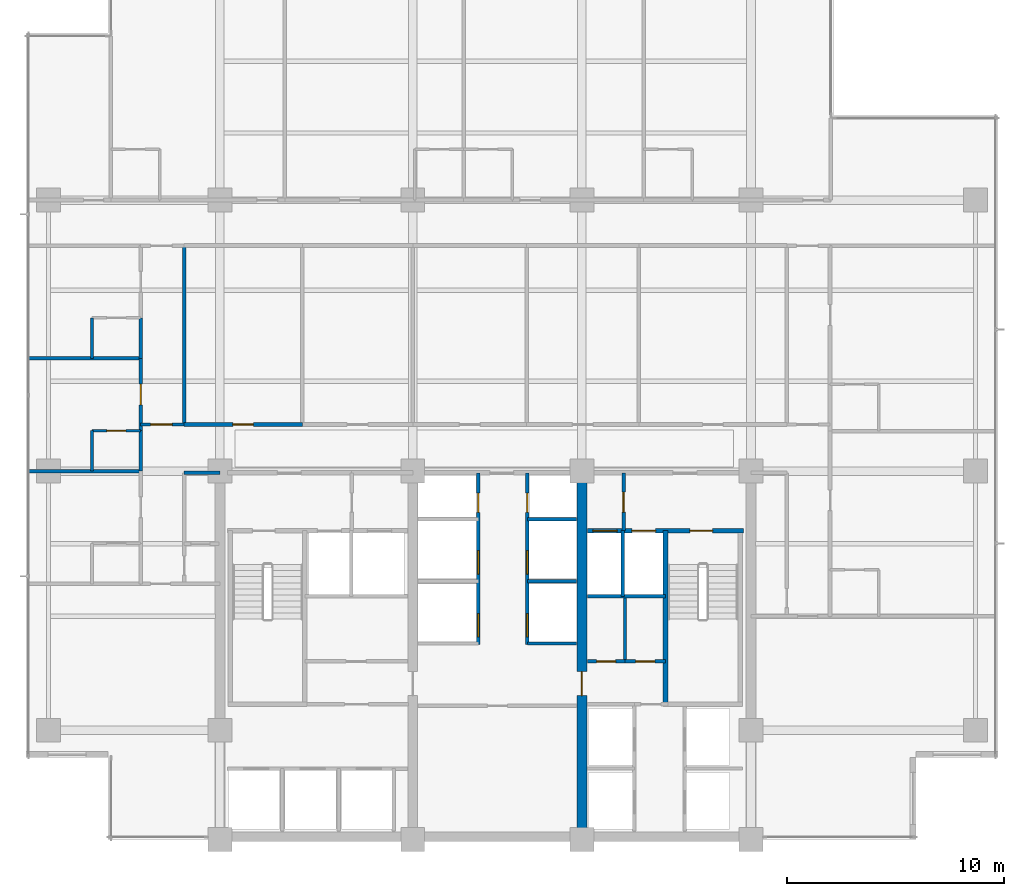
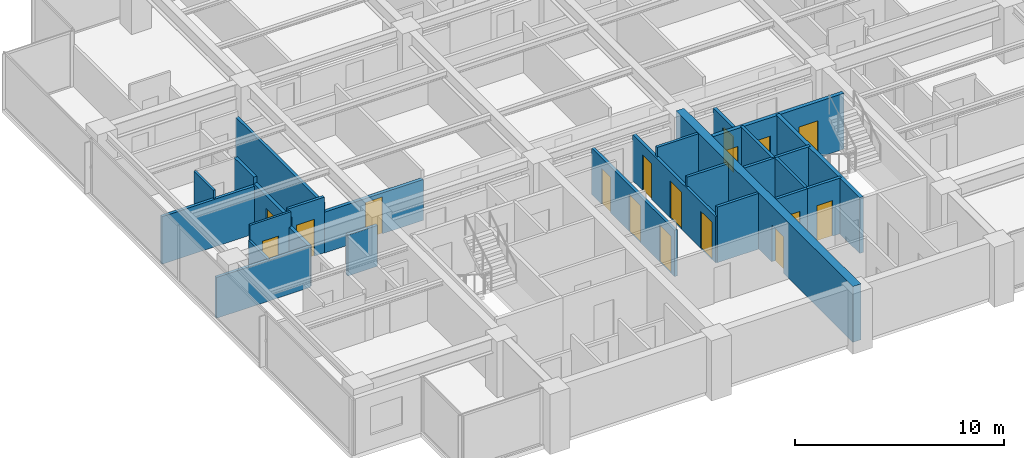
# One storey, part 8 of 15: 26 walls, 17 doors, 17 openings.
"""IFC4 building model written with IfcOpenShell, lengths in metres."""

import ifcopenshell
import ifcopenshell.guid

model = None  # the IFC model being written
_history = None  # IfcOwnerHistory: only IFC2X3 demands one
_inside = {}  # id of a spatial element -> (the spatial element, [elements in it])
_under = {}  # id of a project, library or spatial element -> (it, [spatial elements below it])
_declared = {}  # id of a project -> (the project, [libraries it declares])
_typed = {}  # id of a type object -> (the type object, [elements of that type])
_made_of = {}  # id of a material, layer set ... -> (it, [elements and type objects made of it])


def new_model(schema):
    """Start an empty IFC model of exactly this schema.

    Asked for "IFC4X3", IfcOpenShell would pick the latest addendum, in which some entities
    have other attributes; the version numbers below select the first issue.
    IFC2X3 requires an IfcOwnerHistory on every rooted entity: one is made here for all.
    """
    global model, _history
    if schema == "IFC4X3":
        model = ifcopenshell.file(schema_version=(4, 3, 0, 0))
    else:
        model = ifcopenshell.file(schema=schema)
    _inside.clear()
    _under.clear()
    _declared.clear()
    _typed.clear()
    _made_of.clear()
    _history = None
    if model.schema == "IFC2X3":
        org = make("IfcOrganization", Name="unknown")
        user = make(
            "IfcPersonAndOrganization",
            ThePerson=make("IfcPerson", FamilyName="unknown"),
            TheOrganization=org,
        )
        app = make(
            "IfcApplication",
            ApplicationDeveloper=org,
            Version="unknown",
            ApplicationFullName="unknown",
            ApplicationIdentifier="unknown",
        )
        _history = make(
            "IfcOwnerHistory",
            OwningUser=user,
            OwningApplication=app,
            ChangeAction="ADDED",
            CreationDate=0,
        )
    return model


def make(cls, **values):
    """One entity of the class cls with the attributes given. An attribute that is None is left unset."""
    return model.create_entity(
        cls, **{name: value for name, value in values.items() if value is not None}
    )


def rooted(cls, **values):
    """An entity with a GlobalId (a new one), such as an element, a storey or a relation."""
    return make(cls, GlobalId=ifcopenshell.guid.new(), OwnerHistory=_history, **values)


def si_unit(unit_type, name, prefix=None):
    """IfcSIUnit, for example si_unit("LENGTHUNIT", "METRE", prefix="MILLI")."""
    return make("IfcSIUnit", UnitType=unit_type, Prefix=prefix, Name=name)


def assignment(units):
    """IfcUnitAssignment: the units of a project."""
    return None if units is None else make("IfcUnitAssignment", Units=units)


def point(xyz):
    """IfcCartesianPoint."""
    return None if xyz is None else make("IfcCartesianPoint", Coordinates=xyz)


def direction(xyz):
    """IfcDirection."""
    return None if xyz is None else make("IfcDirection", DirectionRatios=xyz)


def frame(location, z_axis=None, x_axis=None):
    """IfcAxis2Placement3D, a coordinate frame: its origin and axes. An axis left out is left unset."""
    return make(
        "IfcAxis2Placement3D",
        Location=point(location),
        Axis=direction(z_axis),
        RefDirection=direction(x_axis),
    )


def frame_2d(location, x_axis=None):
    """IfcAxis2Placement2D, a coordinate frame in the plane: its origin and x axis."""
    return make(
        "IfcAxis2Placement2D", Location=point(location), RefDirection=direction(x_axis)
    )


def origin():
    """The frame at (0, 0, 0) with its axes left unset."""
    return frame((0.0, 0.0, 0.0))


def place(relative_to, where):
    """IfcLocalPlacement: puts the frame where relative to a parent placement (None: the world)."""
    return make(
        "IfcLocalPlacement", PlacementRelTo=relative_to, RelativePlacement=where
    )


def context(
    kind, dimensions, precision=None, world=None, true_north=None, identifier=None
):
    """IfcGeometricRepresentationContext, for example the 3D "Model" context."""
    return make(
        "IfcGeometricRepresentationContext",
        ContextIdentifier=identifier,
        ContextType=kind,
        CoordinateSpaceDimension=dimensions,
        Precision=precision,
        WorldCoordinateSystem=world,
        TrueNorth=true_north,
    )


def subcontext(parent, identifier, kind, view, scale=None):
    """IfcGeometricRepresentationSubContext, for example "Body" below "Model"."""
    return make(
        "IfcGeometricRepresentationSubContext",
        ContextIdentifier=identifier,
        ContextType=kind,
        ParentContext=parent,
        TargetScale=scale,
        TargetView=view,
    )


def project(units=None, contexts=None):
    """IfcProject with its units and contexts."""
    return rooted(
        "IfcProject",
        Name="project",
        RepresentationContexts=contexts,
        UnitsInContext=assignment(units),
    )


def spatial(cls, under=None, at=None, **own):
    """A site, building, storey or space (cls), placed at a placement, below another one or the project."""
    s = rooted(cls, ObjectPlacement=at, **own)
    if under is not None:
        _under.setdefault(under.id(), (under, []))[1].append(s)
    return s


def profile(cls, at=None, kind="AREA", **sizes):
    """A parametric profile (cls). Its sizes go by their IFC names, for example OverallWidth=200.0."""
    return make(cls, ProfileType=kind, Position=at, **sizes)


def rectangle(**sizes):
    """IfcRectangleProfileDef."""
    return profile("IfcRectangleProfileDef", **sizes)


def extrude(swept, where, along, depth):
    """IfcExtrudedAreaSolid: the profile swept, set in the frame where, extruded along a direction by depth."""
    return make(
        "IfcExtrudedAreaSolid",
        SweptArea=swept,
        Position=where,
        ExtrudedDirection=direction(along),
        Depth=depth,
    )


def shape(context_of_items, identifier, shape_type, items):
    """IfcShapeRepresentation: the items that make up one representation, for example the "Body"."""
    return make(
        "IfcShapeRepresentation",
        ContextOfItems=context_of_items,
        RepresentationIdentifier=identifier,
        RepresentationType=shape_type,
        Items=items,
    )


def material(Name=None, Category=None):
    """IfcMaterial."""
    return make("IfcMaterial", Name=Name, Category=Category)


def layer(
    of_material, thickness, ventilated=None, Name=None, Category=None, Priority=None
):
    """IfcMaterialLayer: one layer of a wall or slab, of a material (None: an air gap)."""
    return make(
        "IfcMaterialLayer",
        Material=of_material,
        LayerThickness=thickness,
        IsVentilated=ventilated,
        Name=Name,
        Category=Category,
        Priority=Priority,
    )


def layer_set(layers, Name=None):
    """IfcMaterialLayerSet."""
    return make("IfcMaterialLayerSet", MaterialLayers=layers, LayerSetName=Name)


def made_of(thing, what):
    """Note that an element or type object is made of a material, layer set ...; save() writes the relation."""
    if what is not None:
        _made_of.setdefault(what.id(), (what, []))[1].append(thing)
    return thing


def type_object(cls, material=None, **own):
    """A type object (cls), such as IfcWallType, which elements share."""
    return made_of(rooted(cls, **own), material)


def element(
    cls,
    number,
    at=None,
    inside=None,
    cuts=None,
    type_object=None,
    material=None,
    context=None,
    identifier="Body",
    shape_type=None,
    held_by="IfcProductDefinitionShape",
    body=None,
    shapes=None,
    **own,
):
    """One element of the class cls, such as IfcWall. Its Tag is "e" and its number.

    at: its placement. inside: the storey or other place that contains it. cuts: it is an
    opening in that element (IfcRelVoidsElement). A single representation is given by context,
    identifier, shape_type and body (its items); several are given by shapes. held_by: the class
    of the entity that holds the representations. save() writes the other relations.
    """
    e = rooted(cls, Tag="e%d" % number, ObjectPlacement=at, **own)
    if body is not None:
        shapes = [shape(context, identifier, shape_type, body)]
    if shapes is not None:
        e.Representation = make(held_by, Representations=shapes)
    if inside is not None:
        _inside.setdefault(inside.id(), (inside, []))[1].append(e)
    if cuts is not None:
        rooted(
            "IfcRelVoidsElement", RelatingBuildingElement=cuts, RelatedOpeningElement=e
        )
    if type_object is not None:
        _typed.setdefault(type_object.id(), (type_object, []))[1].append(e)
    return made_of(e, material)


def fill(opening, filler):
    """IfcRelFillsElement: the door or window that sits in an opening."""
    return rooted(
        "IfcRelFillsElement",
        RelatingOpeningElement=opening,
        RelatedBuildingElement=filler,
    )


def aggregate(whole, parts):
    """IfcRelAggregates: a whole, such as a stair, and the parts it consists of."""
    return rooted("IfcRelAggregates", RelatingObject=whole, RelatedObjects=parts)


def save(model, path):
    """Write the relations noted so far, then the file.

    IfcRelAggregates (storeys below a building ...), IfcRelContainedInSpatialStructure (elements
    in a storey), IfcRelDefinesByType, IfcRelAssociatesMaterial and IfcRelDeclares: one each for
    every whole, place, type object, material and project.
    """
    for whole, parts in _under.values():
        aggregate(whole, parts)
    for where, things in _inside.values():
        rooted(
            "IfcRelContainedInSpatialStructure",
            RelatedElements=things,
            RelatingStructure=where,
        )
    for kind, things in _typed.values():
        rooted("IfcRelDefinesByType", RelatedObjects=things, RelatingType=kind)
    for what, things in _made_of.values():
        rooted("IfcRelAssociatesMaterial", RelatedObjects=things, RelatingMaterial=what)
    for by, libraries in _declared.values():
        rooted("IfcRelDeclares", RelatingContext=by, RelatedDefinitions=libraries)
    model.write(path)


model = new_model("IFC4")

# Units and contexts
model_context = context("Model", 3, precision=1e-05, world=origin(), true_north=direction((0.0, 1.0)))
body_context = subcontext(model_context, "Body", "Model", "MODEL_VIEW")
ifc_project = project(units=[si_unit("LENGTHUNIT", "METRE"), si_unit("AREAUNIT", "SQUARE_METRE"), si_unit("VOLUMEUNIT", "CUBIC_METRE"), si_unit("PLANEANGLEUNIT", "RADIAN"), si_unit("MASSUNIT", "GRAM", prefix="KILO")], contexts=[model_context])

# Site, building, storey
site_placement = place(None, origin())
site = spatial("IfcSite", under=ifc_project, at=site_placement, CompositionType="ELEMENT")
building_placement = place(site_placement, origin())
building = spatial("IfcBuilding", under=site, at=building_placement, Name="Qalmaran Belvedere Hotel", CompositionType="ELEMENT")
storey_placement = place(building_placement, frame((0.0, 0.0, 142.10009765625)))
storey = spatial("IfcBuildingStorey", under=building, at=storey_placement, Name="L35", CompositionType="ELEMENT", Elevation=142.10009765625)

# Wall, opening, door
ifc_material_1 = material(Name="Concrete C50/60", Category="concrete")
ifc_layer_1 = layer(ifc_material_1, 0.449951171875, Name="Concrete C50/60")
ifc_layer_set_1 = layer_set([ifc_layer_1], Name="Concrete C50/60")
wall_type_1 = type_object("IfcWallType", Name="WL-CORE-450-C50", PredefinedType="SHEAR", material=ifc_layer_set_1)
wall_1_placement = place(storey_placement, frame((37.0, 3.5, 0.0), z_axis=(0.0, 0.0, 1.0), x_axis=(0.0, 1.0, 0.0)))
wall_1 = element("IfcWall", 1, at=wall_1_placement, inside=storey, type_object=wall_type_1, Name="L35 Core East Spine Shear Wall", PredefinedType="SHEAR", context=body_context, shape_type="SweptSolid", body=[
    extrude(rectangle(XDim=16.89990234375, YDim=0.449951171875, at=frame_2d((8.449951171875, 0.0))), origin(), (0.0, 0.0, 1.0), 3.25),
])
opening_1_placement = place(wall_1_placement, frame((6.64990234375, 0.0, 0.0)))
opening_1 = element("IfcOpeningElement", 2, at=opening_1_placement, cuts=wall_1, Name="Opening FD90", PredefinedType="OPENING", context=body_context, shape_type="SweptSolid", body=[
    extrude(rectangle(XDim=1.10009765625, YDim=2.14990234375, at=frame_2d((0.550048828125, 1.074951171875))), frame((0.0, 0.23486328125, 0.0), z_axis=(0.0, -1.0, 0.0), x_axis=(1.0, 0.0, 0.0)), (0.0, 0.0, 1.0), 0.469970703125),
])
ifc_material_2 = material(Name="Steel S355JR", Category="steel")
door_type_1 = type_object("IfcDoorType", Name="DR-FD90-1100X2150", OperationType="NOTDEFINED", PredefinedType="DOOR", material=ifc_material_2)
door_1_placement = place(opening_1_placement, origin())
door_1 = element("IfcDoor", 3, at=door_1_placement, inside=storey, type_object=door_type_1, Name="L35 Core East Cross-Lobby Door", OperationType="SINGLE_SWING_RIGHT", OverallHeight=2.14990234375, OverallWidth=1.10009765625, PredefinedType="DOOR", context=body_context, shape_type="SweptSolid", body=[
    extrude(rectangle(XDim=1.10009765625, YDim=2.14990234375, at=frame_2d((0.550048828125, 1.074951171875))), frame((0.0, 0.02490234375, 0.0), z_axis=(0.0, -1.0, 0.0), x_axis=(1.0, 0.0, 0.0)), (0.0, 0.0, 1.0), 0.050048828125),
])
fill(opening_1, door_1)

ifc_material_3 = material(Name="Moisture-Resistant Gypsum")
ifc_layer_2 = layer(ifc_material_3, 0.1201171875, Name="Moisture-Resistant Gypsum")
ifc_layer_set_2 = layer_set([ifc_layer_2], Name="Moisture-Resistant Gypsum")
wall_type_2 = type_object("IfcWallType", Name="WL-INT-120-BATH", PredefinedType="PARTITIONING", material=ifc_layer_set_2)
wall_2_placement = place(storey_placement, frame((14.39990234375, 22.3701171875, 0.0), z_axis=(0.0, 0.0, 1.0), x_axis=(1.0, 0.0, 0.0)))
wall_2 = element("IfcWall", 4, at=wall_2_placement, inside=storey, type_object=wall_type_2, Name="L35 Partition WL-L35-WBN01", PredefinedType="PARTITIONING", context=body_context, shape_type="SweptSolid", body=[
    extrude(rectangle(XDim=2.25, YDim=0.1201171875, at=frame_2d((1.125, 0.0))), origin(), (0.0, 0.0, 1.0), 3.25),
])
opening_2_placement = place(wall_2_placement, frame((1.56494140625, 0.0, 0.0), z_axis=(0.0, 0.0, 1.0), x_axis=(-1.0, 0.0, 0.0)))
opening_2 = element("IfcOpeningElement", 5, at=opening_2_placement, cuts=wall_2, Name="Opening D-BATH", PredefinedType="OPENING", context=body_context, shape_type="SweptSolid", body=[
    extrude(rectangle(XDim=0.8798828125, YDim=2.080078125, at=frame_2d((0.43994140625, 1.0400390625))), frame((0.0, 0.070068359375, 0.0), z_axis=(0.0, -1.0, 0.0), x_axis=(1.0, 0.0, 0.0)), (0.0, 0.0, 1.0), 0.14013671875),
])
ifc_material_4 = material(Name="Engineered Oak Veneer")
door_type_2 = type_object("IfcDoorType", Name="DR-INT-BATH-880X2080", OperationType="NOTDEFINED", PredefinedType="DOOR", material=ifc_material_4)
door_2_placement = place(opening_2_placement, origin())
door_2 = element("IfcDoor", 6, at=door_2_placement, inside=storey, type_object=door_type_2, Name="L35 W Ensuite Door 02", OperationType="SINGLE_SWING_LEFT", OverallHeight=2.080078125, OverallWidth=0.8798828125, PredefinedType="DOOR", context=body_context, shape_type="SweptSolid", body=[
    extrude(rectangle(XDim=0.8798828125, YDim=2.080078125, at=frame_2d((0.43994140625, 1.0400390625))), frame((0.0, 0.02490234375, 0.0), z_axis=(0.0, -1.0, 0.0), x_axis=(1.0, 0.0, 0.0)), (0.0, 0.0, 1.0), 0.050048828125),
])
fill(opening_2, door_2)

# Walls
wall_3_placement = place(storey_placement, frame((14.39990234375, 20.5, 0.0), z_axis=(0.0, 0.0, 1.0), x_axis=(0.0, 1.0, 0.0)))
element("IfcWall", 7, at=wall_3_placement, inside=storey, type_object=wall_type_2, Name="L35 Partition WL-L35-WBS01", PredefinedType="PARTITIONING", context=body_context, shape_type="SweptSolid", body=[
    extrude(rectangle(XDim=1.8701171875, YDim=0.1201171875, at=frame_2d((0.93505859375, 0.0))), origin(), (0.0, 0.0, 1.0), 2.3798828125),
])
wall_4_placement = place(storey_placement, frame((14.39990234375, 25.699951171875, 0.0), z_axis=(0.0, 0.0, 1.0), x_axis=(0.0, 1.0, 0.0)))
element("IfcWall", 8, at=wall_4_placement, inside=storey, type_object=wall_type_2, Name="L35 Partition WL-L35-WBS02", PredefinedType="PARTITIONING", context=body_context, shape_type="SweptSolid", body=[
    extrude(rectangle(XDim=1.8701171875, YDim=0.1201171875, at=frame_2d((0.93505859375, 0.0))), origin(), (0.0, 0.0, 1.0), 3.25),
])
ifc_material_5 = material(Name="Gypsum Stud Partition")
ifc_layer_3 = layer(ifc_material_5, 0.14990234375, Name="Gypsum Stud Partition")
ifc_layer_set_3 = layer_set([ifc_layer_3], Name="Gypsum Stud Partition")
wall_type_3 = type_object("IfcWallType", Name="WL-INT-150-EI120", PredefinedType="PARTITIONING", material=ifc_layer_set_3)
wall_5_placement = place(storey_placement, frame((38.8798828125, 14.719970703125, 0.0), z_axis=(0.0, 0.0, 1.0), x_axis=(0.0, 1.0, 0.0)))
element("IfcWall", 9, at=wall_5_placement, inside=storey, type_object=wall_type_3, Name="L35 Partition WL-FF2M-L35", PredefinedType="PARTITIONING", context=body_context, shape_type="SweptSolid", body=[
    extrude(rectangle(XDim=3.0400390625, YDim=0.14990234375, at=frame_2d((1.52001953125, 0.0))), origin(), (0.0, 0.0, 1.0), 3.25),
])
for number, where, z_axis, x_axis, name in (
    (10, (34.47998046875, 12.550048828125, 0.0), (0.0, 0.0, 1.0), (1.0, 0.0, 0.0), "L35 Partition WL-PME-L35-125"),
    (11, (34.47998046875, 15.419921875, 0.0), (0.0, 0.0, 1.0), (1.0, 0.0, 0.0), "L35 Partition WL-PME-L35-154"),
    (12, (34.47998046875, 18.280029296875, 0.0), (0.0, 0.0, 1.0), (1.0, 0.0, 0.0), "L35 Partition WL-PME-L35-182"),
):
    element("IfcWall", number, at=place(storey_placement, frame(where, z_axis=z_axis, x_axis=x_axis)), inside=storey, type_object=wall_type_3, Name=name, PredefinedType="PARTITIONING", context=body_context, shape_type="SweptSolid", body=[
        extrude(rectangle(XDim=2.27001953125, YDim=0.14990234375, at=frame_2d((1.135009765625, 0.0))), origin(), (0.0, 0.0, 1.0), 3.25),
    ])
ifc_layer_4 = layer(ifc_material_5, 0.14990234375, Name="Gypsum Stud Partition")
ifc_layer_set_4 = layer_set([ifc_layer_4], Name="Gypsum Stud Partition")
wall_type_4 = type_object("IfcWallType", Name="WL-INT-150-EI60", PredefinedType="PARTITIONING", material=ifc_layer_set_4)
wall_6_placement = place(storey_placement, frame((38.98291015625, 11.719970703125, 0.0), z_axis=(0.0, 0.0, 1.0), x_axis=(0.0, 1.0, 0.0)))
element("IfcWall", 13, at=wall_6_placement, inside=storey, type_object=wall_type_4, Name="L35 Partition WL-L35-KEV1", PredefinedType="PARTITIONING", context=body_context, shape_type="SweptSolid", body=[
    extrude(rectangle(XDim=2.929931640625, YDim=0.14990234375, at=frame_2d((1.46484375, 0.0))), origin(), (0.0, 0.0, 1.0), 3.25),
])

# Wall, opening, door
wall_7_placement = place(storey_placement, frame((16.64990234375, 22.64990234375, 0.0), z_axis=(0.0, 0.0, 1.0), x_axis=(1.0, 0.0, 0.0)))
wall_7 = element("IfcWall", 14, at=wall_7_placement, inside=storey, type_object=wall_type_4, Name="L35 Partition WL-L35-XCW1", PredefinedType="PARTITIONING", context=body_context, shape_type="SweptSolid", body=[
    extrude(rectangle(XDim=2.0, YDim=0.14990234375, at=frame_2d((1.0, 0.0))), origin(), (0.0, 0.0, 1.0), 3.25),
])
opening_3_placement = place(wall_7_placement, frame((0.449951171875, 0.0, 0.0)))
opening_3 = element("IfcOpeningElement", 15, at=opening_3_placement, cuts=wall_7, Name="Opening FD90B", PredefinedType="OPENING", context=body_context, shape_type="SweptSolid", body=[
    extrude(rectangle(XDim=1.0, YDim=2.14990234375, at=frame_2d((0.5, 1.074951171875))), frame((0.0, 0.0849609375, 0.0), z_axis=(0.0, -1.0, 0.0), x_axis=(1.0, 0.0, 0.0)), (0.0, 0.0, 1.0), 0.169921875),
])
door_type_3 = type_object("IfcDoorType", Name="DR-FD90B-1000X2150", OperationType="NOTDEFINED", PredefinedType="DOOR", material=ifc_material_2)
door_3_placement = place(opening_3_placement, origin())
door_3 = element("IfcDoor", 16, at=door_3_placement, inside=storey, type_object=door_type_3, Name="L35 West Corridor Smoke Door S", OperationType="SINGLE_SWING_RIGHT", OverallHeight=2.14990234375, OverallWidth=1.0, PredefinedType="DOOR", context=body_context, shape_type="SweptSolid", body=[
    extrude(rectangle(XDim=1.0, YDim=2.14990234375, at=frame_2d((0.5, 1.074951171875))), frame((0.0, 0.02490234375, 0.0), z_axis=(0.0, -1.0, 0.0), x_axis=(1.0, 0.0, 0.0)), (0.0, 0.0, 1.0), 0.050048828125),
])
fill(opening_3, door_3)

ifc_layer_5 = layer(ifc_material_5, 0.159912109375, Name="Gypsum Stud Partition")
ifc_layer_set_5 = layer_set([ifc_layer_5], Name="Gypsum Stud Partition")
wall_type_5 = type_object("IfcWallType", Name="WL-INT-160-EI120", PredefinedType="PARTITIONING", material=ifc_layer_set_5)
wall_8_placement = place(storey_placement, frame((38.919921875, 17.760009765625, 0.0), z_axis=(0.0, 0.0, 1.0), x_axis=(0.0, 1.0, 0.0)))
wall_8 = element("IfcWall", 17, at=wall_8_placement, inside=storey, type_object=wall_type_5, Name="L35 Partition WL-FFSV2-L35", PredefinedType="PARTITIONING", context=body_context, shape_type="SweptSolid", body=[
    extrude(rectangle(XDim=2.659912109375, YDim=0.159912109375, at=frame_2d((1.330078125, 0.0))), origin(), (0.0, 0.0, 1.0), 2.69189453125),
])
opening_4_placement = place(wall_8_placement, frame((1.77001953125, 0.0, 0.0), z_axis=(0.0, 0.0, 1.0), x_axis=(-1.0, 0.0, 0.0)))
opening_4 = element("IfcOpeningElement", 18, at=opening_4_placement, cuts=wall_8, Name="Opening FD60S1", PredefinedType="OPENING", context=body_context, shape_type="SweptSolid", body=[
    extrude(rectangle(XDim=0.919921875, YDim=2.080078125, at=frame_2d((0.4599609375, 1.0400390625))), frame((0.0, 0.08984375, 0.0), z_axis=(0.0, -1.0, 0.0), x_axis=(1.0, 0.0, 0.0)), (0.0, 0.0, 1.0), 0.179931640625),
])
door_type_4 = type_object("IfcDoorType", Name="DR-FD60S-920X2080", OperationType="NOTDEFINED", PredefinedType="DOOR", material=ifc_material_4)
door_4_placement = place(opening_4_placement, origin())
door_4 = element("IfcDoor", 19, at=door_4_placement, inside=storey, type_object=door_type_4, Name="L35 Service Lobby East Door", OperationType="SINGLE_SWING_RIGHT", OverallHeight=2.080078125, OverallWidth=0.919921875, PredefinedType="DOOR", context=body_context, shape_type="SweptSolid", body=[
    extrude(rectangle(XDim=0.919921875, YDim=2.080078125, at=frame_2d((0.4599609375, 1.0400390625))), frame((0.0, 0.02490234375, 0.0), z_axis=(0.0, -1.0, 0.0), x_axis=(1.0, 0.0, 0.0)), (0.0, 0.0, 1.0), 0.050048828125),
])
fill(opening_4, door_4)

# Wall
wall_9_placement = place(storey_placement, frame((37.25, 14.719970703125, 0.0), z_axis=(0.0, 0.0, 1.0), x_axis=(1.0, 0.0, 0.0)))
element("IfcWall", 20, at=wall_9_placement, inside=storey, type_object=wall_type_5, Name="L35 Partition WL-FF2S-L35", PredefinedType="PARTITIONING", context=body_context, shape_type="SweptSolid", body=[
    extrude(rectangle(XDim=3.610107421875, YDim=0.159912109375, at=frame_2d((1.80517578125, 0.0))), origin(), (0.0, 0.0, 1.0), 3.25),
])

# Wall, openings, doors
wall_10_placement = place(storey_placement, frame((32.219970703125, 12.5, 0.0), z_axis=(0.0, 0.0, 1.0), x_axis=(0.0, 1.0, 0.0)))
wall_10 = element("IfcWall", 21, at=wall_10_placement, inside=storey, type_object=wall_type_5, Name="L35 Partition WL-CLBWN-L35", PredefinedType="PARTITIONING", context=body_context, shape_type="SweptSolid", body=[
    extrude(rectangle(XDim=7.919921875, YDim=0.159912109375, at=frame_2d((3.9599609375, 0.0))), origin(), (0.0, 0.0, 1.0), 2.69189453125),
])
opening_5_placement = place(wall_10_placement, frame((1.43017578125, 0.0, 0.0), z_axis=(0.0, 0.0, 1.0), x_axis=(-1.0, 0.0, 0.0)))
opening_5 = element("IfcOpeningElement", 22, at=opening_5_placement, cuts=wall_10, Name="Opening LD-P1", PredefinedType="OPENING", context=body_context, shape_type="SweptSolid", body=[
    extrude(rectangle(XDim=1.080078125, YDim=2.159912109375, at=frame_2d((0.5400390625, 1.080078125))), frame((0.0, 0.08984375, 0.0), z_axis=(0.0, -1.0, 0.0), x_axis=(1.0, 0.0, 0.0)), (0.0, 0.0, 1.0), 0.179931640625),
])
opening_6_placement = place(wall_10_placement, frame((4.330078125, 0.0, 0.0), z_axis=(0.0, 0.0, 1.0), x_axis=(-1.0, 0.0, 0.0)))
opening_6 = element("IfcOpeningElement", 23, at=opening_6_placement, cuts=wall_10, Name="Opening LD-P1", PredefinedType="OPENING", context=body_context, shape_type="SweptSolid", body=[
    extrude(rectangle(XDim=1.080078125, YDim=2.159912109375, at=frame_2d((0.5400390625, 1.080078125))), frame((0.0, 0.08984375, 0.0), z_axis=(0.0, -1.0, 0.0), x_axis=(1.0, 0.0, 0.0)), (0.0, 0.0, 1.0), 0.179931640625),
])
opening_7_placement = place(wall_10_placement, frame((6.10009765625, 0.0, 0.0)))
opening_7 = element("IfcOpeningElement", 24, at=opening_7_placement, cuts=wall_10, Name="Opening FD60B", PredefinedType="OPENING", context=body_context, shape_type="SweptSolid", body=[
    extrude(rectangle(XDim=0.8798828125, YDim=2.080078125, at=frame_2d((0.43994140625, 1.0400390625))), frame((0.0, 0.08984375, 0.0), z_axis=(0.0, -1.0, 0.0), x_axis=(1.0, 0.0, 0.0)), (0.0, 0.0, 1.0), 0.179931640625),
])
door_type_5 = type_object("IfcDoorType", Name="DR-FD60B-880X2080", OperationType="NOTDEFINED", PredefinedType="DOOR", material=ifc_material_2)
door_5_placement = place(opening_7_placement, origin())
door_5 = element("IfcDoor", 25, at=door_5_placement, inside=storey, type_object=door_type_5, Name="L35 West Riser Access Door", OperationType="SINGLE_SWING_RIGHT", OverallHeight=2.080078125, OverallWidth=0.8798828125, PredefinedType="DOOR", context=body_context, shape_type="SweptSolid", body=[
    extrude(rectangle(XDim=0.8798828125, YDim=2.080078125, at=frame_2d((0.43994140625, 1.0400390625))), frame((0.0, 0.02490234375, 0.0), z_axis=(0.0, -1.0, 0.0), x_axis=(1.0, 0.0, 0.0)), (0.0, 0.0, 1.0), 0.050048828125),
])
fill(opening_7, door_5)
ifc_material_6 = material(Name="Stainless Steel 1.4401", Category="steel")
door_type_6 = type_object("IfcDoorType", Name="DR-LIFT-P1-1080X2160", OperationType="DOUBLE_DOOR_SLIDING", PredefinedType="DOOR", material=ifc_material_6)
door_6_placement = place(opening_5_placement, origin())
door_6 = element("IfcDoor", 26, at=door_6_placement, inside=storey, type_object=door_type_6, Name="L35 PM1 Lift Landing Door", OperationType="DOUBLE_DOOR_SLIDING", OverallHeight=2.159912109375, OverallWidth=1.080078125, PredefinedType="DOOR", context=body_context, shape_type="SweptSolid", body=[
    extrude(rectangle(XDim=1.080078125, YDim=2.159912109375, at=frame_2d((0.5400390625, 1.080078125))), frame((0.0, 0.02490234375, 0.0), z_axis=(0.0, -1.0, 0.0), x_axis=(1.0, 0.0, 0.0)), (0.0, 0.0, 1.0), 0.050048828125),
])
fill(opening_5, door_6)
door_7_placement = place(opening_6_placement, origin())
door_7 = element("IfcDoor", 27, at=door_7_placement, inside=storey, type_object=door_type_6, Name="L35 PM2 Lift Landing Door", OperationType="DOUBLE_DOOR_SLIDING", OverallHeight=2.159912109375, OverallWidth=1.080078125, PredefinedType="DOOR", context=body_context, shape_type="SweptSolid", body=[
    extrude(rectangle(XDim=1.080078125, YDim=2.159912109375, at=frame_2d((0.5400390625, 1.080078125))), frame((0.0, 0.02490234375, 0.0), z_axis=(0.0, -1.0, 0.0), x_axis=(1.0, 0.0, 0.0)), (0.0, 0.0, 1.0), 0.050048828125),
])
fill(opening_6, door_7)

wall_11_placement = place(storey_placement, frame((34.47998046875, 12.5, 0.0), z_axis=(0.0, 0.0, 1.0), x_axis=(0.0, 1.0, 0.0)))
wall_11 = element("IfcWall", 28, at=wall_11_placement, inside=storey, type_object=wall_type_5, Name="L35 Partition WL-CLBEN-L35", PredefinedType="PARTITIONING", context=body_context, shape_type="SweptSolid", body=[
    extrude(rectangle(XDim=7.919921875, YDim=0.159912109375, at=frame_2d((3.9599609375, 0.0))), origin(), (0.0, 0.0, 1.0), 2.69189453125),
])
opening_8_placement = place(wall_11_placement, frame((0.35009765625, 0.0, 0.0)))
opening_8 = element("IfcOpeningElement", 29, at=opening_8_placement, cuts=wall_11, Name="Opening LD-P1", PredefinedType="OPENING", context=body_context, shape_type="SweptSolid", body=[
    extrude(rectangle(XDim=1.080078125, YDim=2.159912109375, at=frame_2d((0.5400390625, 1.080078125))), frame((0.0, 0.08984375, 0.0), z_axis=(0.0, -1.0, 0.0), x_axis=(1.0, 0.0, 0.0)), (0.0, 0.0, 1.0), 0.179931640625),
])
opening_9_placement = place(wall_11_placement, frame((3.25, 0.0, 0.0)))
opening_9 = element("IfcOpeningElement", 30, at=opening_9_placement, cuts=wall_11, Name="Opening LD-P1", PredefinedType="OPENING", context=body_context, shape_type="SweptSolid", body=[
    extrude(rectangle(XDim=1.080078125, YDim=2.159912109375, at=frame_2d((0.5400390625, 1.080078125))), frame((0.0, 0.08984375, 0.0), z_axis=(0.0, -1.0, 0.0), x_axis=(1.0, 0.0, 0.0)), (0.0, 0.0, 1.0), 0.179931640625),
])
opening_10_placement = place(wall_11_placement, frame((6.97998046875, 0.0, 0.0), z_axis=(0.0, 0.0, 1.0), x_axis=(-1.0, 0.0, 0.0)))
opening_10 = element("IfcOpeningElement", 31, at=opening_10_placement, cuts=wall_11, Name="Opening FD60B", PredefinedType="OPENING", context=body_context, shape_type="SweptSolid", body=[
    extrude(rectangle(XDim=0.8798828125, YDim=2.080078125, at=frame_2d((0.43994140625, 1.0400390625))), frame((0.0, 0.08984375, 0.0), z_axis=(0.0, -1.0, 0.0), x_axis=(1.0, 0.0, 0.0)), (0.0, 0.0, 1.0), 0.179931640625),
])
door_8_placement = place(opening_10_placement, origin())
door_8 = element("IfcDoor", 32, at=door_8_placement, inside=storey, type_object=door_type_5, Name="L35 East Riser Access Door", OperationType="SINGLE_SWING_LEFT", OverallHeight=2.080078125, OverallWidth=0.8798828125, PredefinedType="DOOR", context=body_context, shape_type="SweptSolid", body=[
    extrude(rectangle(XDim=0.8798828125, YDim=2.080078125, at=frame_2d((0.43994140625, 1.0400390625))), frame((0.0, 0.02490234375, 0.0), z_axis=(0.0, -1.0, 0.0), x_axis=(1.0, 0.0, 0.0)), (0.0, 0.0, 1.0), 0.050048828125),
])
fill(opening_10, door_8)
door_9_placement = place(opening_8_placement, origin())
door_9 = element("IfcDoor", 33, at=door_9_placement, inside=storey, type_object=door_type_6, Name="L35 PM3 Lift Landing Door", OperationType="DOUBLE_DOOR_SLIDING", OverallHeight=2.159912109375, OverallWidth=1.080078125, PredefinedType="DOOR", context=body_context, shape_type="SweptSolid", body=[
    extrude(rectangle(XDim=1.080078125, YDim=2.159912109375, at=frame_2d((0.5400390625, 1.080078125))), frame((0.0, 0.02490234375, 0.0), z_axis=(0.0, -1.0, 0.0), x_axis=(1.0, 0.0, 0.0)), (0.0, 0.0, 1.0), 0.050048828125),
])
fill(opening_8, door_9)
door_10_placement = place(opening_9_placement, origin())
door_10 = element("IfcDoor", 34, at=door_10_placement, inside=storey, type_object=door_type_6, Name="L35 PM4 Lift Landing Door", OperationType="DOUBLE_DOOR_SLIDING", OverallHeight=2.159912109375, OverallWidth=1.080078125, PredefinedType="DOOR", context=body_context, shape_type="SweptSolid", body=[
    extrude(rectangle(XDim=1.080078125, YDim=2.159912109375, at=frame_2d((0.5400390625, 1.080078125))), frame((0.0, 0.02490234375, 0.0), z_axis=(0.0, -1.0, 0.0), x_axis=(1.0, 0.0, 0.0)), (0.0, 0.0, 1.0), 0.050048828125),
])
fill(opening_9, door_10)

# Wall, opening, door
ifc_layer_6 = layer(ifc_material_5, 0.159912109375, Name="Gypsum Stud Partition")
ifc_layer_set_6 = layer_set([ifc_layer_6], Name="Gypsum Stud Partition")
wall_type_6 = type_object("IfcWallType", Name="WL-INT-160-EI60", PredefinedType="PARTITIONING", material=ifc_layer_set_6)
wall_12_placement = place(storey_placement, frame((37.25, 11.719970703125, 0.0), z_axis=(0.0, 0.0, 1.0), x_axis=(1.0, 0.0, 0.0)))
wall_12 = element("IfcWall", 35, at=wall_12_placement, inside=storey, type_object=wall_type_6, Name="L35 Partition WL-L35-KEE1", PredefinedType="PARTITIONING", context=body_context, shape_type="SweptSolid", body=[
    extrude(rectangle(XDim=1.73291015625, YDim=0.159912109375, at=frame_2d((0.866455078125, 0.0))), origin(), (0.0, 0.0, 1.0), 3.25),
])
opening_11_placement = place(wall_12_placement, frame((0.426513671875, 0.0, 0.0)))
opening_11 = element("IfcOpeningElement", 36, at=opening_11_placement, cuts=wall_12, Name="Opening FD60B", PredefinedType="OPENING", context=body_context, shape_type="SweptSolid", body=[
    extrude(rectangle(XDim=0.8798828125, YDim=2.080078125, at=frame_2d((0.43994140625, 1.0400390625))), frame((0.0, 0.08984375, 0.0), z_axis=(0.0, -1.0, 0.0), x_axis=(1.0, 0.0, 0.0)), (0.0, 0.0, 1.0), 0.179931640625),
])
door_11_placement = place(opening_11_placement, origin())
door_11 = element("IfcDoor", 37, at=door_11_placement, inside=storey, type_object=door_type_5, Name="L35 Cleaner Equipment Store Door", OperationType="SINGLE_SWING_LEFT", OverallHeight=2.080078125, OverallWidth=0.8798828125, PredefinedType="DOOR", context=body_context, shape_type="SweptSolid", body=[
    extrude(rectangle(XDim=0.8798828125, YDim=2.080078125, at=frame_2d((0.43994140625, 1.0400390625))), frame((0.0, 0.02490234375, 0.0), z_axis=(0.0, -1.0, 0.0), x_axis=(1.0, 0.0, 0.0)), (0.0, 0.0, 1.0), 0.050048828125),
])
fill(opening_11, door_11)

wall_13_placement = place(storey_placement, frame((38.98291015625, 11.719970703125, 0.0), z_axis=(0.0, 0.0, 1.0), x_axis=(1.0, 0.0, 0.0)))
wall_13 = element("IfcWall", 38, at=wall_13_placement, inside=storey, type_object=wall_type_6, Name="L35 Partition WL-L35-KEE2", PredefinedType="PARTITIONING", context=body_context, shape_type="SweptSolid", body=[
    extrude(rectangle(XDim=1.877197265625, YDim=0.159912109375, at=frame_2d((0.9384765625, 0.0))), origin(), (0.0, 0.0, 1.0), 3.25),
])
opening_12_placement = place(wall_13_placement, frame((0.49853515625, 0.0, 0.0)))
opening_12 = element("IfcOpeningElement", 39, at=opening_12_placement, cuts=wall_13, Name="Opening FD60B", PredefinedType="OPENING", context=body_context, shape_type="SweptSolid", body=[
    extrude(rectangle(XDim=0.8798828125, YDim=2.080078125, at=frame_2d((0.43994140625, 1.0400390625))), frame((0.0, 0.08984375, 0.0), z_axis=(0.0, -1.0, 0.0), x_axis=(1.0, 0.0, 0.0)), (0.0, 0.0, 1.0), 0.179931640625),
])
door_12_placement = place(opening_12_placement, origin())
door_12 = element("IfcDoor", 40, at=door_12_placement, inside=storey, type_object=door_type_5, Name="L35 Low Voltage Switch Room Door", OperationType="SINGLE_SWING_RIGHT", OverallHeight=2.080078125, OverallWidth=0.8798828125, PredefinedType="DOOR", context=body_context, shape_type="SweptSolid", body=[
    extrude(rectangle(XDim=0.8798828125, YDim=2.080078125, at=frame_2d((0.43994140625, 1.0400390625))), frame((0.0, 0.02490234375, 0.0), z_axis=(0.0, -1.0, 0.0), x_axis=(1.0, 0.0, 0.0)), (0.0, 0.0, 1.0), 0.050048828125),
])
fill(opening_12, door_12)

# Walls
wall_14_placement = place(storey_placement, frame((18.64990234375, 20.419921875, 0.0), z_axis=(0.0, 0.0, 1.0), x_axis=(1.0, 0.0, 0.0)))
element("IfcWall", 41, at=wall_14_placement, inside=storey, type_object=wall_type_6, Name="L35 Partition WL-L35-WCLN", PredefinedType="PARTITIONING", context=body_context, shape_type="SweptSolid", body=[
    extrude(rectangle(XDim=1.650146484375, YDim=0.159912109375, at=frame_2d((0.8251953125, 0.0))), origin(), (0.0, 0.0, 1.0), 2.3798828125),
])
wall_15_placement = place(storey_placement, frame((18.64990234375, 22.64990234375, 0.0), z_axis=(0.0, 0.0, 1.0), x_axis=(0.0, 1.0, 0.0)))
element("IfcWall", 42, at=wall_15_placement, inside=storey, type_object=wall_type_6, Name="L35 Partition WL-L35-MIDVL", PredefinedType="PARTITIONING", context=body_context, shape_type="SweptSolid", body=[
    extrude(rectangle(XDim=8.25, YDim=0.159912109375, at=frame_2d((4.125, 0.0))), origin(), (0.0, 0.0, 1.0), 2.880859375),
])
wall_16_placement = place(storey_placement, frame((11.469970703125, 20.5, 0.0), z_axis=(0.0, 0.0, 1.0), x_axis=(1.0, 0.0, 0.0)))
element("IfcWall", 43, at=wall_16_placement, inside=storey, type_object=wall_type_6, Name="L35 Partition WL-L35-WU00", PredefinedType="PARTITIONING", context=body_context, shape_type="SweptSolid", body=[
    extrude(rectangle(XDim=5.179931640625, YDim=0.159912109375, at=frame_2d((2.58984375, 0.0))), origin(), (0.0, 0.0, 1.0), 2.3798828125),
])
wall_17_placement = place(storey_placement, frame((11.469970703125, 25.699951171875, 0.0), z_axis=(0.0, 0.0, 1.0), x_axis=(1.0, 0.0, 0.0)))
element("IfcWall", 44, at=wall_17_placement, inside=storey, type_object=wall_type_6, Name="L35 Partition WL-L35-WU01", PredefinedType="PARTITIONING", context=body_context, shape_type="SweptSolid", body=[
    extrude(rectangle(XDim=5.179931640625, YDim=0.159912109375, at=frame_2d((2.58984375, 0.0))), origin(), (0.0, 0.0, 1.0), 2.77197265625),
])

# Wall, opening, door
ifc_layer_7 = layer(ifc_material_5, 0.179931640625, Name="Gypsum Stud Partition")
ifc_layer_set_7 = layer_set([ifc_layer_7], Name="Gypsum Stud Partition")
wall_type_7 = type_object("IfcWallType", Name="WL-INT-180-EI60", PredefinedType="PARTITIONING", material=ifc_layer_set_7)
wall_18_placement = place(storey_placement, frame((18.64990234375, 22.64990234375, 0.0), z_axis=(0.0, 0.0, 1.0), x_axis=(1.0, 0.0, 0.0)))
wall_18 = element("IfcWall", 45, at=wall_18_placement, inside=storey, type_object=wall_type_7, Name="L35 Partition WL-L35-MIDD1", PredefinedType="PARTITIONING", context=body_context, shape_type="SweptSolid", body=[
    extrude(rectangle(XDim=5.4501953125, YDim=0.179931640625, at=frame_2d((2.72509765625, 0.0))), origin(), (0.0, 0.0, 1.0), 2.3798828125),
])
opening_13_placement = place(wall_18_placement, frame((2.25, 0.0, 0.0)))
opening_13 = element("IfcOpeningElement", 46, at=opening_13_placement, cuts=wall_18, Name="Opening FD60", PredefinedType="OPENING", context=body_context, shape_type="SweptSolid", body=[
    extrude(rectangle(XDim=0.949951171875, YDim=2.14990234375, at=frame_2d((0.47509765625, 1.074951171875))), frame((0.0, 0.10009765625, 0.0), z_axis=(0.0, -1.0, 0.0), x_axis=(1.0, 0.0, 0.0)), (0.0, 0.0, 1.0), 0.199951171875),
])
door_type_7 = type_object("IfcDoorType", Name="DR-FD60-950X2150", OperationType="NOTDEFINED", PredefinedType="DOOR", material=ifc_material_4)
door_13_placement = place(opening_13_placement, origin())
door_13 = element("IfcDoor", 47, at=door_13_placement, inside=storey, type_object=door_type_7, Name="L35 Housekeeping and Linen Room Door", OperationType="SINGLE_SWING_RIGHT", OverallHeight=2.14990234375, OverallWidth=0.949951171875, PredefinedType="DOOR", context=body_context, shape_type="SweptSolid", body=[
    extrude(rectangle(XDim=0.949951171875, YDim=2.14990234375, at=frame_2d((0.47509765625, 1.074951171875))), frame((0.0, 0.02490234375, 0.0), z_axis=(0.0, -1.0, 0.0), x_axis=(1.0, 0.0, 0.0)), (0.0, 0.0, 1.0), 0.050048828125),
])
fill(opening_13, door_13)

# Wall
wall_19_placement = place(storey_placement, frame((16.64990234375, 20.5, 0.0), z_axis=(0.0, 0.0, 1.0), x_axis=(0.0, 1.0, 0.0)))
element("IfcWall", 48, at=wall_19_placement, inside=storey, type_object=wall_type_7, Name="L35 Partition WL-L35-WBC01", PredefinedType="PARTITIONING", context=body_context, shape_type="SweptSolid", body=[
    extrude(rectangle(XDim=1.8701171875, YDim=0.179931640625, at=frame_2d((0.93505859375, 0.0))), origin(), (0.0, 0.0, 1.0), 2.3798828125),
])

# Wall, opening, door
wall_20_placement = place(storey_placement, frame((16.64990234375, 22.3701171875, 0.0), z_axis=(0.0, 0.0, 1.0), x_axis=(0.0, 1.0, 0.0)))
wall_20 = element("IfcWall", 49, at=wall_20_placement, inside=storey, type_object=wall_type_7, Name="L35 Partition WL-L35-WEC01", PredefinedType="PARTITIONING", context=body_context, shape_type="SweptSolid", body=[
    extrude(rectangle(XDim=3.329833984375, YDim=0.179931640625, at=frame_2d((1.6650390625, 0.0))), origin(), (0.0, 0.0, 1.0), 2.880859375),
])
opening_14_placement = place(wall_20_placement, frame((1.18994140625, 0.0, 0.0)))
opening_14 = element("IfcOpeningElement", 50, at=opening_14_placement, cuts=wall_20, Name="Opening FD60", PredefinedType="OPENING", context=body_context, shape_type="SweptSolid", body=[
    extrude(rectangle(XDim=0.949951171875, YDim=2.14990234375, at=frame_2d((0.47509765625, 1.074951171875))), frame((0.0, 0.10009765625, 0.0), z_axis=(0.0, -1.0, 0.0), x_axis=(1.0, 0.0, 0.0)), (0.0, 0.0, 1.0), 0.199951171875),
])
door_14_placement = place(opening_14_placement, origin())
door_14 = element("IfcDoor", 51, at=door_14_placement, inside=storey, type_object=door_type_7, Name="L35 W Wing Door 02", OperationType="SINGLE_SWING_RIGHT", OverallHeight=2.14990234375, OverallWidth=0.949951171875, PredefinedType="DOOR", context=body_context, shape_type="SweptSolid", body=[
    extrude(rectangle(XDim=0.949951171875, YDim=2.14990234375, at=frame_2d((0.47509765625, 1.074951171875))), frame((0.0, 0.02490234375, 0.0), z_axis=(0.0, -1.0, 0.0), x_axis=(1.0, 0.0, 0.0)), (0.0, 0.0, 1.0), 0.050048828125),
])
fill(opening_14, door_14)

# Walls
wall_21_placement = place(storey_placement, frame((16.64990234375, 25.699951171875, 0.0), z_axis=(0.0, 0.0, 1.0), x_axis=(0.0, 1.0, 0.0)))
element("IfcWall", 52, at=wall_21_placement, inside=storey, type_object=wall_type_7, Name="L35 Partition WL-L35-WBC02", PredefinedType="PARTITIONING", context=body_context, shape_type="SweptSolid", body=[
    extrude(rectangle(XDim=1.8701171875, YDim=0.179931640625, at=frame_2d((0.93505859375, 0.0))), origin(), (0.0, 0.0, 1.0), 3.25),
])
ifc_layer_8 = layer(ifc_material_1, 0.2099609375, Name="Concrete C50/60")
ifc_layer_set_8 = layer_set([ifc_layer_8], Name="Concrete C50/60")
wall_type_8 = type_object("IfcWallType", Name="WL-STAIR-210-C50", PredefinedType="SHEAR", material=ifc_layer_set_8)
wall_22_placement = place(storey_placement, frame((40.85498046875, 9.7451171875, 0.0), z_axis=(0.0, 0.0, 1.0), x_axis=(0.0, 1.0, 0.0)))
element("IfcWall", 53, at=wall_22_placement, inside=storey, type_object=wall_type_8, Name="L35 Stair ST-2 West Bearing Wall", PredefinedType="SHEAR", context=body_context, shape_type="SweptSolid", body=[
    extrude(rectangle(XDim=8.009765625, YDim=0.2099609375, at=frame_2d((4.0048828125, 0.0))), origin(), (0.0, 0.0, 1.0), 3.25),
])

# Wall, openings, doors
wall_23_placement = place(storey_placement, frame((37.25, 17.7548828125, 0.0), z_axis=(0.0, 0.0, 1.0), x_axis=(1.0, 0.0, 0.0)))
wall_23 = element("IfcWall", 54, at=wall_23_placement, inside=storey, type_object=wall_type_8, Name="L35 East Lobby and Stair ST-2 North Bearing Wall", PredefinedType="SHEAR", context=body_context, shape_type="SweptSolid", body=[
    extrude(rectangle(XDim=7.199951171875, YDim=0.2099609375, at=frame_2d((3.60009765625, 0.0))), origin(), (0.0, 0.0, 1.0), 3.25),
])
opening_15_placement = place(wall_23_placement, frame((0.25, 0.0, 0.0)))
opening_15 = element("IfcOpeningElement", 55, at=opening_15_placement, cuts=wall_23, Name="Opening LD-SV", PredefinedType="OPENING", context=body_context, shape_type="SweptSolid", body=[
    extrude(rectangle(XDim=1.1201171875, YDim=2.199951171875, at=frame_2d((0.56005859375, 1.10009765625))), frame((0.0, 0.114990234375, 0.0), z_axis=(0.0, -1.0, 0.0), x_axis=(1.0, 0.0, 0.0)), (0.0, 0.0, 1.0), 0.22998046875),
])
opening_16_placement = place(wall_23_placement, frame((2.050048828125, 0.0, 0.0)))
opening_16 = element("IfcOpeningElement", 56, at=opening_16_placement, cuts=wall_23, Name="Opening LD-FF", PredefinedType="OPENING", context=body_context, shape_type="SweptSolid", body=[
    extrude(rectangle(XDim=1.10009765625, YDim=2.179931640625, at=frame_2d((0.550048828125, 1.08984375))), frame((0.0, 0.114990234375, 0.0), z_axis=(0.0, -1.0, 0.0), x_axis=(1.0, 0.0, 0.0)), (0.0, 0.0, 1.0), 0.22998046875),
])
opening_17_placement = place(wall_23_placement, frame((5.780029296875, 0.0, 0.0), z_axis=(0.0, 0.0, 1.0), x_axis=(-1.0, 0.0, 0.0)))
opening_17 = element("IfcOpeningElement", 57, at=opening_17_placement, cuts=wall_23, Name="Opening FD90S2", PredefinedType="OPENING", context=body_context, shape_type="SweptSolid", body=[
    extrude(rectangle(XDim=1.050048828125, YDim=2.14990234375, at=frame_2d((0.52490234375, 1.074951171875))), frame((0.0, 0.114990234375, 0.0), z_axis=(0.0, -1.0, 0.0), x_axis=(1.0, 0.0, 0.0)), (0.0, 0.0, 1.0), 0.22998046875),
])
door_type_8 = type_object("IfcDoorType", Name="DR-FD90S-1050X2150", OperationType="NOTDEFINED", PredefinedType="DOOR", material=ifc_material_2)
door_15_placement = place(opening_17_placement, origin())
door_15 = element("IfcDoor", 58, at=door_15_placement, inside=storey, type_object=door_type_8, Name="L35 Stair ST-2 Door", OperationType="SINGLE_SWING_RIGHT", OverallHeight=2.14990234375, OverallWidth=1.050048828125, PredefinedType="DOOR", context=body_context, shape_type="SweptSolid", body=[
    extrude(rectangle(XDim=1.050048828125, YDim=2.14990234375, at=frame_2d((0.52490234375, 1.074951171875))), frame((0.0, 0.02490234375, 0.0), z_axis=(0.0, -1.0, 0.0), x_axis=(1.0, 0.0, 0.0)), (0.0, 0.0, 1.0), 0.050048828125),
])
fill(opening_17, door_15)
door_type_9 = type_object("IfcDoorType", Name="DR-LIFT-FF-1100X2180", OperationType="DOUBLE_DOOR_SLIDING", PredefinedType="DOOR", material=ifc_material_6)
door_16_placement = place(opening_16_placement, origin())
door_16 = element("IfcDoor", 59, at=door_16_placement, inside=storey, type_object=door_type_9, Name="L35 FF2 Lift Landing Door", OperationType="DOUBLE_DOOR_SLIDING", OverallHeight=2.179931640625, OverallWidth=1.10009765625, PredefinedType="DOOR", context=body_context, shape_type="SweptSolid", body=[
    extrude(rectangle(XDim=1.10009765625, YDim=2.179931640625, at=frame_2d((0.550048828125, 1.08984375))), frame((0.0, 0.02490234375, 0.0), z_axis=(0.0, -1.0, 0.0), x_axis=(1.0, 0.0, 0.0)), (0.0, 0.0, 1.0), 0.050048828125),
])
fill(opening_16, door_16)
door_type_10 = type_object("IfcDoorType", Name="DR-LIFT-SV-1120X2200", OperationType="DOUBLE_DOOR_SLIDING", PredefinedType="DOOR", material=ifc_material_6)
door_17_placement = place(opening_15_placement, origin())
door_17 = element("IfcDoor", 60, at=door_17_placement, inside=storey, type_object=door_type_10, Name="L35 SV2 Lift Landing Door", OperationType="DOUBLE_DOOR_SLIDING", OverallHeight=2.199951171875, OverallWidth=1.1201171875, PredefinedType="DOOR", context=body_context, shape_type="SweptSolid", body=[
    extrude(rectangle(XDim=1.1201171875, YDim=2.199951171875, at=frame_2d((0.56005859375, 1.10009765625))), frame((0.0, 0.02490234375, 0.0), z_axis=(0.0, -1.0, 0.0), x_axis=(1.0, 0.0, 0.0)), (0.0, 0.0, 1.0), 0.050048828125),
])
fill(opening_15, door_17)

save(model, "model.ifc")
